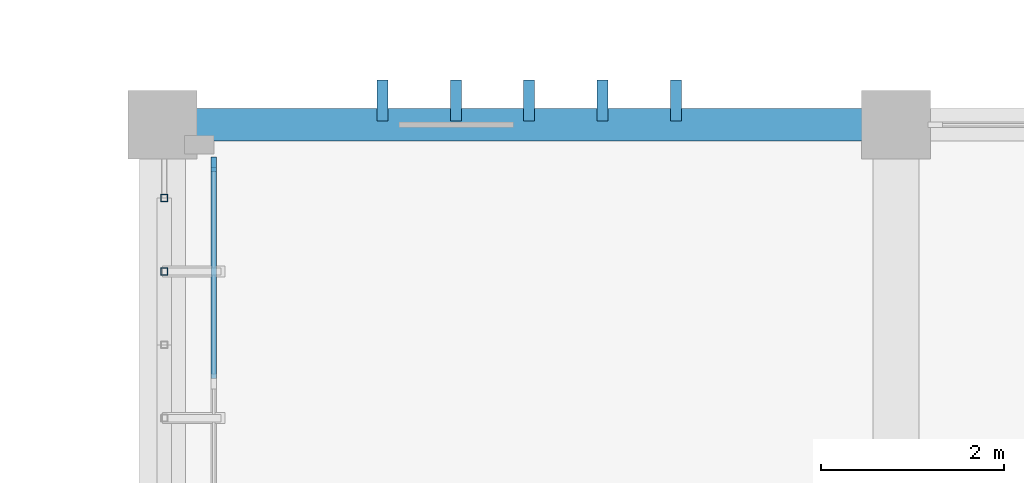
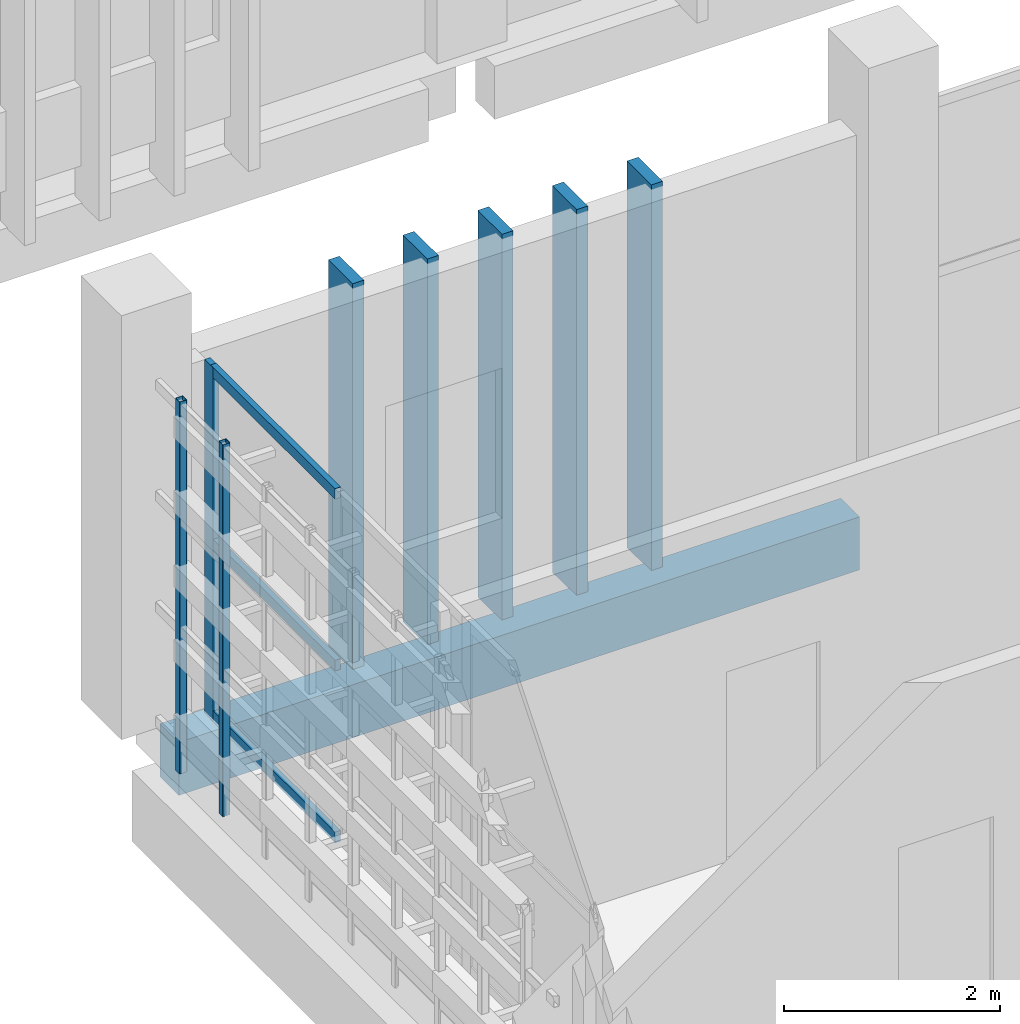
# One storey, part 50 of 117: 11 members, 1 beam, 1 element without a shape of its own.
"""IFC4 building model written with IfcOpenShell, lengths in metres."""

from ifc_helpers import new_model, si_unit, direction, frame, origin, origin_2d, place, context, subcontext, project, spatial, rectangle, hollow_rectangle, extrude, material, layer, layer_set, material_profile, profile_set, type_object, element, aggregate, save


model = new_model("IFC4")

# Units and contexts
model_context = context("Model", 3, precision=1e-05, world=origin(), true_north=direction((0.0, 1.0)))
body_context = subcontext(model_context, "Body", "Model", "MODEL_VIEW")
ifc_project = project(units=[si_unit("LENGTHUNIT", "METRE"), si_unit("AREAUNIT", "SQUARE_METRE"), si_unit("VOLUMEUNIT", "CUBIC_METRE"), si_unit("PLANEANGLEUNIT", "RADIAN"), si_unit("MASSUNIT", "GRAM", prefix="KILO")], contexts=[model_context])

# Site, building, storey
site_placement = place(None, origin())
site = spatial("IfcSite", under=ifc_project, at=site_placement, CompositionType="ELEMENT")
building_placement = place(site_placement, origin())
building = spatial("IfcBuilding", under=site, at=building_placement, Name="Jelvoka-Kovrelna Polytechnic", CompositionType="ELEMENT")
storey_placement = place(building_placement, origin())
storey = spatial("IfcBuildingStorey", under=building, at=storey_placement, Name="L01", CompositionType="ELEMENT", Elevation=0.0)

# Members
ifc_material_1 = material(Name="Precast concrete C40/50", Category="concrete")
ifc_material_profile_1 = material_profile(ifc_material_1, rectangle(XDim=0.1201171875, YDim=0.449951171875, at=origin_2d()), Name="PC 120x450")
ifc_profile_set_1 = profile_set([ifc_material_profile_1], Name="Precast concrete C40/50")
member_type_1 = type_object("IfcMemberType", Name="Louvre_Fin_120x450", PredefinedType="USERDEFINED", material=ifc_profile_set_1)
for number, where, z_axis, x_axis, name in (
    (1, (130.39990234375, 48.264892578125, -0.419921875), (0.0, 0.0, 1.0), (1.0, 0.0, 0.0), "L01 B2E north vertical solar louvre fin 0871"),
    (2, (131.199951171875, 48.264892578125, -0.419921875), (0.0, 0.0, 1.0), (1.0, 0.0, 0.0), "L01 B2E north vertical solar louvre fin 0872"),
    (3, (132.0, 48.264892578125, -0.419921875), (0.0, 0.0, 1.0), (1.0, 0.0, 0.0), "L01 B2E north vertical solar louvre fin 0873"),
    (4, (132.800048828125, 48.264892578125, -0.419921875), (0.0, 0.0, 1.0), (1.0, 0.0, 0.0), "L01 B2E north vertical solar louvre fin 0874"),
    (5, (133.60009765625, 48.264892578125, -0.419921875), (0.0, 0.0, 1.0), (1.0, 0.0, 0.0), "L01 B2E north vertical solar louvre fin 0875"),
):
    element("IfcMember", number, at=place(storey_placement, frame(where, z_axis=z_axis, x_axis=x_axis)), inside=storey, type_object=member_type_1, Name=name, ObjectType="SUNSHADE", PredefinedType="USERDEFINED", context=body_context, shape_type="SweptSolid", body=[
        extrude(rectangle(XDim=0.1201171875, YDim=0.449951171875, at=origin_2d()), origin(), (0.0, 0.0, 1.0), 4.3798828125),
    ])
ifc_material_2 = material(Name="Structural steel S355J2H", Category="steel")
ifc_material_profile_2 = material_profile(ifc_material_2, hollow_rectangle(XDim=0.080078125, YDim=0.080078125, WallThickness=0.0048828125, InnerFilletRadius=0.0048828125, OuterFilletRadius=0.007568359375, at=origin_2d()), Name="80x80x5.0 SHS")
ifc_profile_set_2 = profile_set([ifc_material_profile_2], Name="Structural steel S355J2H")
member_type_2 = type_object("IfcMemberType", Name="Member_Strut_SHS80", PredefinedType="STRUT", material=ifc_profile_set_2)
for number, where, z_axis, x_axis, name in (
    (6, (128.02001953125, 46.39990234375, -0.22998046875), (0.0, 0.0, 1.0), (1.0, 0.0, 0.0), "L01 terracotta lattice vertical rib 0298"),
    (7, (128.02001953125, 47.199951171875, -0.22998046875), (0.0, 0.0, 1.0), (1.0, 0.0, 0.0), "L01 terracotta lattice vertical rib 0299"),
):
    element("IfcMember", number, at=place(storey_placement, frame(where, z_axis=z_axis, x_axis=x_axis)), inside=storey, type_object=member_type_2, Name=name, PredefinedType="STRUT", context=body_context, shape_type="SweptSolid", body=[
        extrude(hollow_rectangle(XDim=0.080078125, YDim=0.080078125, WallThickness=0.0048828125, InnerFilletRadius=0.0048828125, OuterFilletRadius=0.007568359375, at=origin_2d()), origin(), (0.0, 0.0, 1.0), 4.2099609375),
    ])

# Curtain wall, member
ifc_material_3 = material(Name="Anodised aluminium 6063-T6", Category="aluminium")
ifc_layer = layer(ifc_material_3, 0.159912109375)
ifc_layer_set = layer_set([ifc_layer], Name="Anodised aluminium 6063-T6")
curtain_wall_type = type_object("IfcCurtainWallType", Name="CW_Recessed_A", PredefinedType="NOTDEFINED", material=ifc_layer_set)
curtain_wall_placement = place(storey_placement, origin())
curtain_wall = element("IfcCurtainWall", 8, at=curtain_wall_placement, inside=storey, type_object=curtain_wall_type, Name="L01 glazed curtain wall 043", PredefinedType="NOTDEFINED")
ifc_material_4 = material(Name="Anodised aluminium 6063-T6", Category="aluminium")
ifc_material_profile_3 = material_profile(ifc_material_4, rectangle(XDim=0.06005859375, YDim=0.159912109375, at=origin_2d()), Name="ALU 60x160")
ifc_profile_set_3 = profile_set([ifc_material_profile_3], Name="Anodised aluminium 6063-T6")
member_type_3 = type_object("IfcMemberType", Name="Mullion_M-01", PredefinedType="MULLION", material=ifc_profile_set_3)
member_1_placement = place(storey_placement, frame((128.56005859375, 47.570068359375, -0.02490234375), z_axis=(0.0, 0.0, 1.0), x_axis=(-1.0, 0.0, 0.0)))
member_1 = element("IfcMember", 9, at=member_1_placement, type_object=member_type_3, Name="CW-01 mullion 4", PredefinedType="MULLION", context=body_context, shape_type="SweptSolid", body=[
    extrude(rectangle(XDim=0.06005859375, YDim=0.159912109375, at=origin_2d()), origin(), (0.0, 0.0, 1.0), 4.0),
])

# Beam
ifc_material_5 = material(Name="Concrete C40/50", Category="concrete")
ifc_material_profile_4 = material_profile(ifc_material_5, rectangle(XDim=0.35009765625, YDim=0.60009765625, at=origin_2d()), Name="RC 350x600")
ifc_profile_set_4 = profile_set([ifc_material_profile_4], Name="Concrete C40/50")
beam_type = type_object("IfcBeamType", Name="Spandrel_RC_350x600", PredefinedType="SPANDREL", material=ifc_profile_set_4)
beam_placement = place(storey_placement, frame((128.35498046875, 48.0, -0.705078125), z_axis=(1.0, 0.0, 0.0), x_axis=(0.0, 1.0, 0.0)))
element("IfcBeam", 10, at=beam_placement, inside=storey, type_object=beam_type, Name="L01 beam 0414", PredefinedType="SPANDREL", context=body_context, shape_type="SweptSolid", body=[
    extrude(rectangle(XDim=0.35009765625, YDim=0.60009765625, at=origin_2d()), origin(), (0.0, 0.0, 1.0), 7.2900390625),
])

# Member
ifc_material_6 = material(Name="Anodised aluminium 6063-T6", Category="aluminium")
ifc_material_profile_5 = material_profile(ifc_material_6, rectangle(XDim=0.06005859375, YDim=0.1201171875, at=origin_2d()), Name="ALU 60x120")
ifc_profile_set_5 = profile_set([ifc_material_profile_5], Name="Anodised aluminium 6063-T6")
member_type_4 = type_object("IfcMemberType", Name="Transom_T-01", PredefinedType="USERDEFINED", material=ifc_profile_set_5)
member_2_placement = place(storey_placement, frame((128.56005859375, 45.22998046875, 0.030029296875), z_axis=(0.0, 1.0, 0.0), x_axis=(-1.0, 0.0, 0.0)))
member_2 = element("IfcMember", 11, at=member_2_placement, type_object=member_type_4, Name="CW-01 transom 3.1", ObjectType="TRANSOM", PredefinedType="USERDEFINED", context=body_context, shape_type="SweptSolid", body=[
    extrude(rectangle(XDim=0.06005859375, YDim=0.1201171875, at=origin_2d()), origin(), (0.0, 0.0, 1.0), 2.31005859375),
])

member_3_placement = place(storey_placement, frame((128.56005859375, 45.22998046875, 1.97509765625), z_axis=(0.0, 1.0, 0.0), x_axis=(-1.0, 0.0, 0.0)))
member_3 = element("IfcMember", 12, at=member_3_placement, type_object=member_type_4, Name="CW-01 transom 3.2", ObjectType="TRANSOM", PredefinedType="USERDEFINED", context=body_context, shape_type="SweptSolid", body=[
    extrude(rectangle(XDim=0.06005859375, YDim=0.1201171875, at=origin_2d()), origin(), (0.0, 0.0, 1.0), 2.31005859375),
])

member_4_placement = place(storey_placement, frame((128.56005859375, 45.22998046875, 3.919921875), z_axis=(0.0, 1.0, 0.0), x_axis=(-1.0, 0.0, 0.0)))
member_4 = element("IfcMember", 13, at=member_4_placement, type_object=member_type_4, Name="CW-01 transom 3.3", ObjectType="TRANSOM", PredefinedType="USERDEFINED", context=body_context, shape_type="SweptSolid", body=[
    extrude(rectangle(XDim=0.06005859375, YDim=0.1201171875, at=origin_2d()), origin(), (0.0, 0.0, 1.0), 2.31005859375),
])

aggregate(curtain_wall, [member_1, member_2, member_3, member_4])

save(model, "model.ifc")
